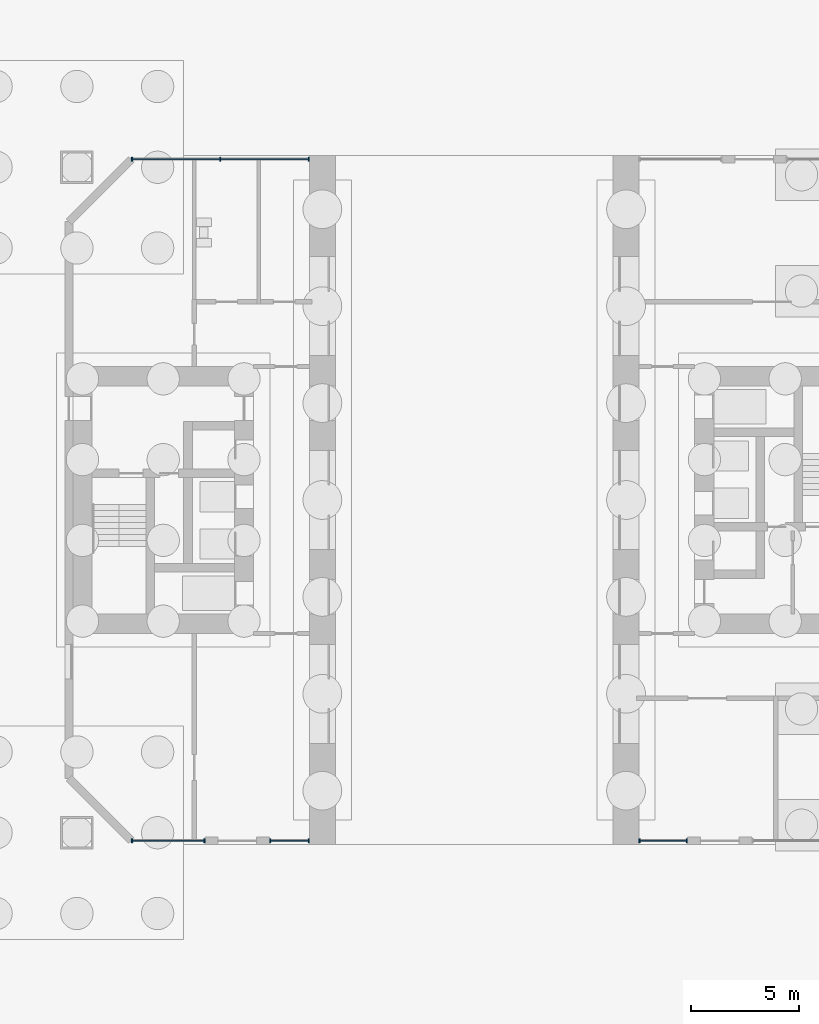
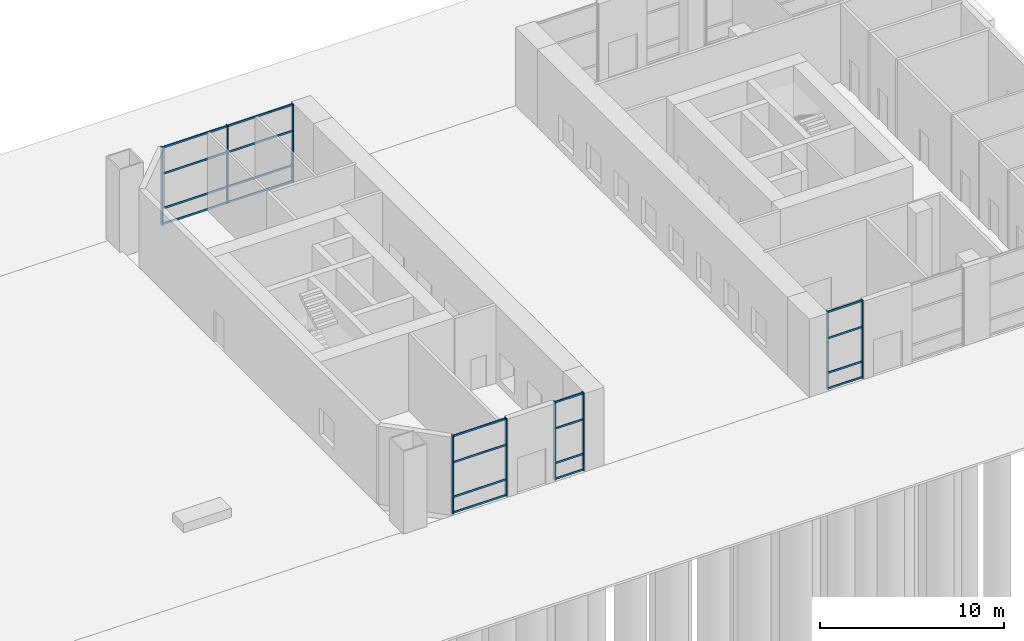
# One storey, part 8 of 26: 29 members, 4 elements without a shape of their own.
"""IFC4 building model written with IfcOpenShell, lengths in metres."""

from ifc_helpers import new_model, si_unit, direction, frame, origin, origin_2d, place, context, subcontext, project, spatial, rectangle, extrude, material, material_profile, profile_set, type_object, element, aggregate, save


model = new_model("IFC4")

# Units and contexts
model_context = context("Model", 3, precision=1e-05, world=origin(), true_north=direction((0.0, 1.0)))
body_context = subcontext(model_context, "Body", "Model", "MODEL_VIEW")
ifc_project = project(units=[si_unit("LENGTHUNIT", "METRE"), si_unit("AREAUNIT", "SQUARE_METRE"), si_unit("VOLUMEUNIT", "CUBIC_METRE"), si_unit("PLANEANGLEUNIT", "RADIAN"), si_unit("MASSUNIT", "GRAM", prefix="KILO")], contexts=[model_context])

# Site, building, storey
site_placement = place(None, origin())
site = spatial("IfcSite", under=ifc_project, at=site_placement, CompositionType="ELEMENT")
building_placement = place(site_placement, origin())
building = spatial("IfcBuilding", under=site, at=building_placement, Name="Tuart Gate Housing", CompositionType="ELEMENT")
storey_placement = place(building_placement, origin())
storey = spatial("IfcBuildingStorey", under=building, at=storey_placement, Name="L00", CompositionType="ELEMENT", Elevation=0.0)

# Curtain wall, members
ifc_material_1 = material(Name="Aluminium and clear glass", Category="aluminium")
curtain_wall_type = type_object("IfcCurtainWallType", Name="Ground storey glazing", PredefinedType="USERDEFINED", material=ifc_material_1)
curtain_wall_1_placement = place(storey_placement, origin())
curtain_wall_1 = element("IfcCurtainWall", 1, at=curtain_wall_1_placement, inside=storey, type_object=curtain_wall_type, Name="Ground storey glazing B-S L00", ObjectType="GROUND STOREY GLAZING", PredefinedType="USERDEFINED")
ifc_material_2 = material(Name="Anodised aluminium", Category="aluminium")
ifc_material_profile_1 = material_profile(ifc_material_2, rectangle(XDim=0.06005859375, YDim=0.199951171875, at=origin_2d()), Name="60x200")
ifc_profile_set_1 = profile_set([ifc_material_profile_1], Name="Anodised aluminium")
member_type_1 = type_object("IfcMemberType", Name="Mullion 60 x 200", PredefinedType="MULLION", material=ifc_profile_set_1)
member_1_placement = place(storey_placement, frame((134.1044921875, 54.179931640625, 0.0), z_axis=(0.0, 0.0, 1.0), x_axis=(1.0, 0.0, 0.0)))
member_1 = element("IfcMember", 2, at=member_1_placement, type_object=member_type_1, Name="CW2 mullion 1", PredefinedType="MULLION", context=body_context, shape_type="SweptSolid", body=[
    extrude(rectangle(XDim=0.06005859375, YDim=0.199951171875, at=origin_2d()), origin(), (0.0, 0.0, 1.0), 5.199951171875),
])
member_2_placement = place(storey_placement, frame((137.469970703125, 54.179931640625, 0.0), z_axis=(0.0, 0.0, 1.0), x_axis=(1.0, 0.0, 0.0)))
member_2 = element("IfcMember", 3, at=member_2_placement, type_object=member_type_1, Name="CW2 mullion 2", PredefinedType="MULLION", context=body_context, shape_type="SweptSolid", body=[
    extrude(rectangle(XDim=0.06005859375, YDim=0.199951171875, at=origin_2d()), origin(), (0.0, 0.0, 1.0), 5.199951171875),
])

curtain_wall_2_placement = place(storey_placement, origin())
curtain_wall_2 = element("IfcCurtainWall", 4, at=curtain_wall_2_placement, inside=storey, type_object=curtain_wall_type, Name="Ground storey glazing B-S L00", ObjectType="GROUND STOREY GLAZING", PredefinedType="USERDEFINED")
member_3_placement = place(storey_placement, frame((140.530029296875, 54.179931640625, 0.0), z_axis=(0.0, 0.0, 1.0), x_axis=(1.0, 0.0, 0.0)))
member_3 = element("IfcMember", 5, at=member_3_placement, type_object=member_type_1, Name="CW2 mullion 1", PredefinedType="MULLION", context=body_context, shape_type="SweptSolid", body=[
    extrude(rectangle(XDim=0.06005859375, YDim=0.199951171875, at=origin_2d()), origin(), (0.0, 0.0, 1.0), 5.199951171875),
])
member_4_placement = place(storey_placement, frame((142.320068359375, 54.179931640625, 0.0), z_axis=(0.0, 0.0, 1.0), x_axis=(1.0, 0.0, 0.0)))
member_4 = element("IfcMember", 6, at=member_4_placement, type_object=member_type_1, Name="CW2 mullion 2", PredefinedType="MULLION", context=body_context, shape_type="SweptSolid", body=[
    extrude(rectangle(XDim=0.06005859375, YDim=0.199951171875, at=origin_2d()), origin(), (0.0, 0.0, 1.0), 5.199951171875),
])

curtain_wall_3_placement = place(storey_placement, origin())
curtain_wall_3 = element("IfcCurtainWall", 7, at=curtain_wall_3_placement, inside=storey, type_object=curtain_wall_type, Name="Ground storey glazing B-S L00", ObjectType="GROUND STOREY GLAZING", PredefinedType="USERDEFINED")
member_5_placement = place(storey_placement, frame((157.679931640625, 54.179931640625, 0.0), z_axis=(0.0, 0.0, 1.0), x_axis=(1.0, 0.0, 0.0)))
member_5 = element("IfcMember", 8, at=member_5_placement, type_object=member_type_1, Name="CW2 mullion 1", PredefinedType="MULLION", context=body_context, shape_type="SweptSolid", body=[
    extrude(rectangle(XDim=0.06005859375, YDim=0.199951171875, at=origin_2d()), origin(), (0.0, 0.0, 1.0), 5.199951171875),
])
member_6_placement = place(storey_placement, frame((159.8701171875, 54.179931640625, 0.0), z_axis=(0.0, 0.0, 1.0), x_axis=(1.0, 0.0, 0.0)))
member_6 = element("IfcMember", 9, at=member_6_placement, type_object=member_type_1, Name="CW2 mullion 2", PredefinedType="MULLION", context=body_context, shape_type="SweptSolid", body=[
    extrude(rectangle(XDim=0.06005859375, YDim=0.199951171875, at=origin_2d()), origin(), (0.0, 0.0, 1.0), 5.199951171875),
])

curtain_wall_4_placement = place(storey_placement, origin())
curtain_wall_4 = element("IfcCurtainWall", 10, at=curtain_wall_4_placement, inside=storey, type_object=curtain_wall_type, Name="Ground storey glazing B-N L00", ObjectType="GROUND STOREY GLAZING", PredefinedType="USERDEFINED")
member_7_placement = place(storey_placement, frame((142.320068359375, 85.820068359375, 0.0), z_axis=(0.0, 0.0, 1.0), x_axis=(-1.0, 0.0, 0.0)))
member_7 = element("IfcMember", 11, at=member_7_placement, type_object=member_type_1, Name="CW2 mullion 1", PredefinedType="MULLION", context=body_context, shape_type="SweptSolid", body=[
    extrude(rectangle(XDim=0.06005859375, YDim=0.199951171875, at=origin_2d()), origin(), (0.0, 0.0, 1.0), 5.199951171875),
])
member_8_placement = place(storey_placement, frame((138.212158203125, 85.820068359375, 0.0), z_axis=(0.0, 0.0, 1.0), x_axis=(-1.0, 0.0, 0.0)))
member_8 = element("IfcMember", 12, at=member_8_placement, type_object=member_type_1, Name="CW2 mullion 2", PredefinedType="MULLION", context=body_context, shape_type="SweptSolid", body=[
    extrude(rectangle(XDim=0.06005859375, YDim=0.199951171875, at=origin_2d()), origin(), (0.0, 0.0, 1.0), 5.199951171875),
])
member_9_placement = place(storey_placement, frame((134.1044921875, 85.820068359375, 0.0), z_axis=(0.0, 0.0, 1.0), x_axis=(-1.0, 0.0, 0.0)))
member_9 = element("IfcMember", 13, at=member_9_placement, type_object=member_type_1, Name="CW2 mullion 3", PredefinedType="MULLION", context=body_context, shape_type="SweptSolid", body=[
    extrude(rectangle(XDim=0.06005859375, YDim=0.199951171875, at=origin_2d()), origin(), (0.0, 0.0, 1.0), 5.199951171875),
])

# Member
ifc_material_3 = material(Name="Anodised aluminium", Category="aluminium")
ifc_material_profile_2 = material_profile(ifc_material_3, rectangle(XDim=0.06005859375, YDim=0.1201171875, at=origin_2d()), Name="60x120")
ifc_profile_set_2 = profile_set([ifc_material_profile_2], Name="Anodised aluminium")
member_type_2 = type_object("IfcMemberType", Name="Transom 60 x 120", PredefinedType="USERDEFINED", material=ifc_profile_set_2)
member_10_placement = place(storey_placement, frame((134.134521484375, 54.179931640625, 0.06005859375), z_axis=(1.0, 0.0, 0.0), x_axis=(0.0, 1.0, 0.0)))
member_10 = element("IfcMember", 14, at=member_10_placement, type_object=member_type_2, Name="CW2 transom 1.1", ObjectType="TRANSOM", PredefinedType="USERDEFINED", context=body_context, shape_type="SweptSolid", body=[
    extrude(rectangle(XDim=0.06005859375, YDim=0.1201171875, at=origin_2d()), origin(), (0.0, 0.0, 1.0), 3.305419921875),
])

member_11_placement = place(storey_placement, frame((134.134521484375, 54.179931640625, 1.10009765625), z_axis=(1.0, 0.0, 0.0), x_axis=(0.0, 1.0, 0.0)))
member_11 = element("IfcMember", 15, at=member_11_placement, type_object=member_type_2, Name="CW2 transom 1.2", ObjectType="TRANSOM", PredefinedType="USERDEFINED", context=body_context, shape_type="SweptSolid", body=[
    extrude(rectangle(XDim=0.06005859375, YDim=0.1201171875, at=origin_2d()), origin(), (0.0, 0.0, 1.0), 3.305419921875),
])

member_12_placement = place(storey_placement, frame((134.134521484375, 54.179931640625, 3.39990234375), z_axis=(1.0, 0.0, 0.0), x_axis=(0.0, 1.0, 0.0)))
member_12 = element("IfcMember", 16, at=member_12_placement, type_object=member_type_2, Name="CW2 transom 1.3", ObjectType="TRANSOM", PredefinedType="USERDEFINED", context=body_context, shape_type="SweptSolid", body=[
    extrude(rectangle(XDim=0.06005859375, YDim=0.1201171875, at=origin_2d()), origin(), (0.0, 0.0, 1.0), 3.305419921875),
])

member_13_placement = place(storey_placement, frame((134.134521484375, 54.179931640625, 5.139892578125), z_axis=(1.0, 0.0, 0.0), x_axis=(0.0, 1.0, 0.0)))
member_13 = element("IfcMember", 17, at=member_13_placement, type_object=member_type_2, Name="CW2 transom 1.4", ObjectType="TRANSOM", PredefinedType="USERDEFINED", context=body_context, shape_type="SweptSolid", body=[
    extrude(rectangle(XDim=0.06005859375, YDim=0.1201171875, at=origin_2d()), origin(), (0.0, 0.0, 1.0), 3.305419921875),
])

aggregate(curtain_wall_1, [member_1, member_2, member_10, member_11, member_12, member_13])

member_14_placement = place(storey_placement, frame((140.56005859375, 54.179931640625, 0.06005859375), z_axis=(1.0, 0.0, 0.0), x_axis=(0.0, 1.0, 0.0)))
member_14 = element("IfcMember", 18, at=member_14_placement, type_object=member_type_2, Name="CW2 transom 1.1", ObjectType="TRANSOM", PredefinedType="USERDEFINED", context=body_context, shape_type="SweptSolid", body=[
    extrude(rectangle(XDim=0.06005859375, YDim=0.1201171875, at=origin_2d()), origin(), (0.0, 0.0, 1.0), 1.72998046875),
])

member_15_placement = place(storey_placement, frame((140.56005859375, 54.179931640625, 1.10009765625), z_axis=(1.0, 0.0, 0.0), x_axis=(0.0, 1.0, 0.0)))
member_15 = element("IfcMember", 19, at=member_15_placement, type_object=member_type_2, Name="CW2 transom 1.2", ObjectType="TRANSOM", PredefinedType="USERDEFINED", context=body_context, shape_type="SweptSolid", body=[
    extrude(rectangle(XDim=0.06005859375, YDim=0.1201171875, at=origin_2d()), origin(), (0.0, 0.0, 1.0), 1.72998046875),
])

member_16_placement = place(storey_placement, frame((140.56005859375, 54.179931640625, 3.39990234375), z_axis=(1.0, 0.0, 0.0), x_axis=(0.0, 1.0, 0.0)))
member_16 = element("IfcMember", 20, at=member_16_placement, type_object=member_type_2, Name="CW2 transom 1.3", ObjectType="TRANSOM", PredefinedType="USERDEFINED", context=body_context, shape_type="SweptSolid", body=[
    extrude(rectangle(XDim=0.06005859375, YDim=0.1201171875, at=origin_2d()), origin(), (0.0, 0.0, 1.0), 1.72998046875),
])

member_17_placement = place(storey_placement, frame((140.56005859375, 54.179931640625, 5.139892578125), z_axis=(1.0, 0.0, 0.0), x_axis=(0.0, 1.0, 0.0)))
member_17 = element("IfcMember", 21, at=member_17_placement, type_object=member_type_2, Name="CW2 transom 1.4", ObjectType="TRANSOM", PredefinedType="USERDEFINED", context=body_context, shape_type="SweptSolid", body=[
    extrude(rectangle(XDim=0.06005859375, YDim=0.1201171875, at=origin_2d()), origin(), (0.0, 0.0, 1.0), 1.72998046875),
])

aggregate(curtain_wall_2, [member_3, member_4, member_14, member_15, member_16, member_17])

member_18_placement = place(storey_placement, frame((157.7099609375, 54.179931640625, 0.06005859375), z_axis=(1.0, 0.0, 0.0), x_axis=(0.0, 1.0, 0.0)))
member_18 = element("IfcMember", 22, at=member_18_placement, type_object=member_type_2, Name="CW2 transom 1.1", ObjectType="TRANSOM", PredefinedType="USERDEFINED", context=body_context, shape_type="SweptSolid", body=[
    extrude(rectangle(XDim=0.06005859375, YDim=0.1201171875, at=origin_2d()), origin(), (0.0, 0.0, 1.0), 2.130126953125),
])

member_19_placement = place(storey_placement, frame((157.7099609375, 54.179931640625, 1.10009765625), z_axis=(1.0, 0.0, 0.0), x_axis=(0.0, 1.0, 0.0)))
member_19 = element("IfcMember", 23, at=member_19_placement, type_object=member_type_2, Name="CW2 transom 1.2", ObjectType="TRANSOM", PredefinedType="USERDEFINED", context=body_context, shape_type="SweptSolid", body=[
    extrude(rectangle(XDim=0.06005859375, YDim=0.1201171875, at=origin_2d()), origin(), (0.0, 0.0, 1.0), 2.130126953125),
])

member_20_placement = place(storey_placement, frame((157.7099609375, 54.179931640625, 3.39990234375), z_axis=(1.0, 0.0, 0.0), x_axis=(0.0, 1.0, 0.0)))
member_20 = element("IfcMember", 24, at=member_20_placement, type_object=member_type_2, Name="CW2 transom 1.3", ObjectType="TRANSOM", PredefinedType="USERDEFINED", context=body_context, shape_type="SweptSolid", body=[
    extrude(rectangle(XDim=0.06005859375, YDim=0.1201171875, at=origin_2d()), origin(), (0.0, 0.0, 1.0), 2.130126953125),
])

member_21_placement = place(storey_placement, frame((157.7099609375, 54.179931640625, 5.139892578125), z_axis=(1.0, 0.0, 0.0), x_axis=(0.0, 1.0, 0.0)))
member_21 = element("IfcMember", 25, at=member_21_placement, type_object=member_type_2, Name="CW2 transom 1.4", ObjectType="TRANSOM", PredefinedType="USERDEFINED", context=body_context, shape_type="SweptSolid", body=[
    extrude(rectangle(XDim=0.06005859375, YDim=0.1201171875, at=origin_2d()), origin(), (0.0, 0.0, 1.0), 2.130126953125),
])

aggregate(curtain_wall_3, [member_5, member_6, member_18, member_19, member_20, member_21])

member_22_placement = place(storey_placement, frame((142.2900390625, 85.820068359375, 0.06005859375), z_axis=(-1.0, 0.0, 0.0), x_axis=(0.0, -1.0, 0.0)))
member_22 = element("IfcMember", 26, at=member_22_placement, type_object=member_type_2, Name="CW2 transom 1.1", ObjectType="TRANSOM", PredefinedType="USERDEFINED", context=body_context, shape_type="SweptSolid", body=[
    extrude(rectangle(XDim=0.06005859375, YDim=0.1201171875, at=origin_2d()), origin(), (0.0, 0.0, 1.0), 4.0478515625),
])

member_23_placement = place(storey_placement, frame((142.2900390625, 85.820068359375, 1.10009765625), z_axis=(-1.0, 0.0, 0.0), x_axis=(0.0, -1.0, 0.0)))
member_23 = element("IfcMember", 27, at=member_23_placement, type_object=member_type_2, Name="CW2 transom 1.2", ObjectType="TRANSOM", PredefinedType="USERDEFINED", context=body_context, shape_type="SweptSolid", body=[
    extrude(rectangle(XDim=0.06005859375, YDim=0.1201171875, at=origin_2d()), origin(), (0.0, 0.0, 1.0), 4.0478515625),
])

member_24_placement = place(storey_placement, frame((142.2900390625, 85.820068359375, 3.39990234375), z_axis=(-1.0, 0.0, 0.0), x_axis=(0.0, -1.0, 0.0)))
member_24 = element("IfcMember", 28, at=member_24_placement, type_object=member_type_2, Name="CW2 transom 1.3", ObjectType="TRANSOM", PredefinedType="USERDEFINED", context=body_context, shape_type="SweptSolid", body=[
    extrude(rectangle(XDim=0.06005859375, YDim=0.1201171875, at=origin_2d()), origin(), (0.0, 0.0, 1.0), 4.0478515625),
])

member_25_placement = place(storey_placement, frame((142.2900390625, 85.820068359375, 5.139892578125), z_axis=(-1.0, 0.0, 0.0), x_axis=(0.0, -1.0, 0.0)))
member_25 = element("IfcMember", 29, at=member_25_placement, type_object=member_type_2, Name="CW2 transom 1.4", ObjectType="TRANSOM", PredefinedType="USERDEFINED", context=body_context, shape_type="SweptSolid", body=[
    extrude(rectangle(XDim=0.06005859375, YDim=0.1201171875, at=origin_2d()), origin(), (0.0, 0.0, 1.0), 4.0478515625),
])

member_26_placement = place(storey_placement, frame((138.18212890625, 85.820068359375, 0.06005859375), z_axis=(-1.0, 0.0, 0.0), x_axis=(0.0, -1.0, 0.0)))
member_26 = element("IfcMember", 30, at=member_26_placement, type_object=member_type_2, Name="CW2 transom 2.1", ObjectType="TRANSOM", PredefinedType="USERDEFINED", context=body_context, shape_type="SweptSolid", body=[
    extrude(rectangle(XDim=0.06005859375, YDim=0.1201171875, at=origin_2d()), origin(), (0.0, 0.0, 1.0), 4.047607421875),
])

member_27_placement = place(storey_placement, frame((138.18212890625, 85.820068359375, 1.10009765625), z_axis=(-1.0, 0.0, 0.0), x_axis=(0.0, -1.0, 0.0)))
member_27 = element("IfcMember", 31, at=member_27_placement, type_object=member_type_2, Name="CW2 transom 2.2", ObjectType="TRANSOM", PredefinedType="USERDEFINED", context=body_context, shape_type="SweptSolid", body=[
    extrude(rectangle(XDim=0.06005859375, YDim=0.1201171875, at=origin_2d()), origin(), (0.0, 0.0, 1.0), 4.047607421875),
])

member_28_placement = place(storey_placement, frame((138.18212890625, 85.820068359375, 3.39990234375), z_axis=(-1.0, 0.0, 0.0), x_axis=(0.0, -1.0, 0.0)))
member_28 = element("IfcMember", 32, at=member_28_placement, type_object=member_type_2, Name="CW2 transom 2.3", ObjectType="TRANSOM", PredefinedType="USERDEFINED", context=body_context, shape_type="SweptSolid", body=[
    extrude(rectangle(XDim=0.06005859375, YDim=0.1201171875, at=origin_2d()), origin(), (0.0, 0.0, 1.0), 4.047607421875),
])

member_29_placement = place(storey_placement, frame((138.18212890625, 85.820068359375, 5.139892578125), z_axis=(-1.0, 0.0, 0.0), x_axis=(0.0, -1.0, 0.0)))
member_29 = element("IfcMember", 33, at=member_29_placement, type_object=member_type_2, Name="CW2 transom 2.4", ObjectType="TRANSOM", PredefinedType="USERDEFINED", context=body_context, shape_type="SweptSolid", body=[
    extrude(rectangle(XDim=0.06005859375, YDim=0.1201171875, at=origin_2d()), origin(), (0.0, 0.0, 1.0), 4.047607421875),
])

aggregate(curtain_wall_4, [member_7, member_8, member_9, member_22, member_23, member_24, member_25, member_26, member_27, member_28, member_29])

save(model, "model.ifc")
